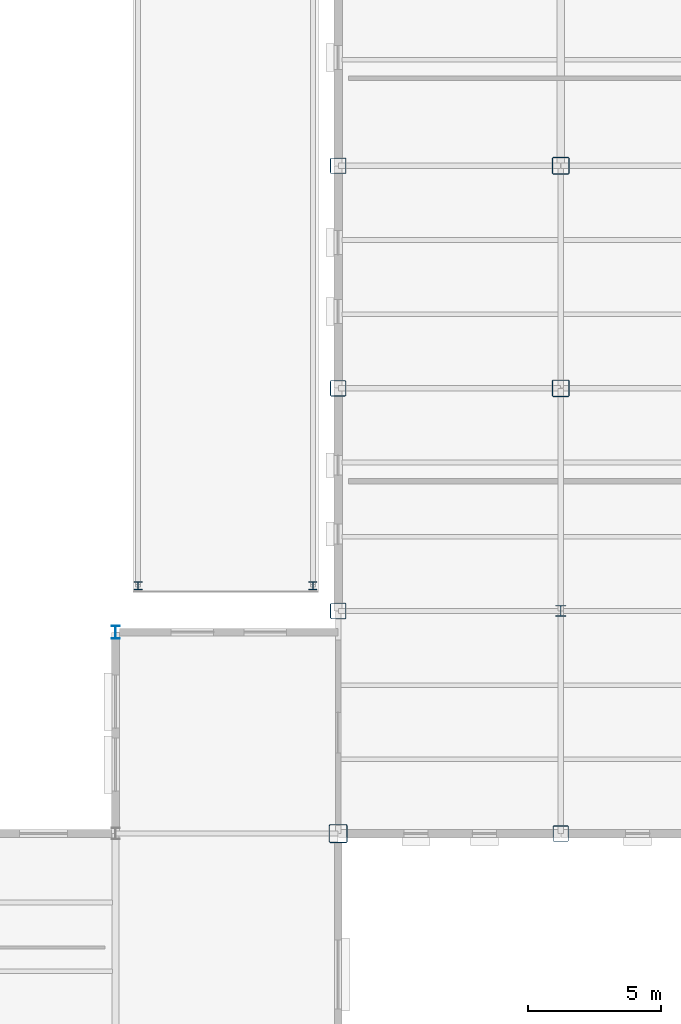
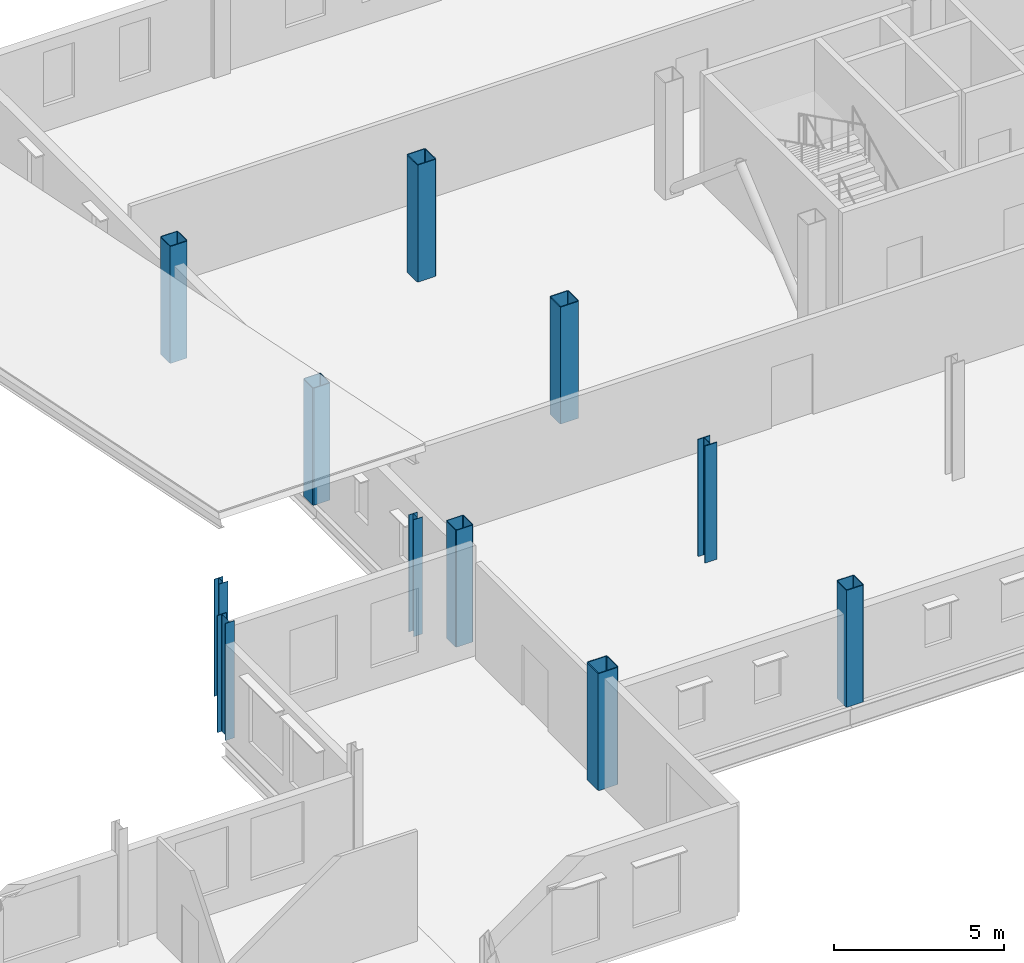
# One storey, part 12 of 75: 11 columns.
"""IFC4 building model written with IfcOpenShell, lengths in metres."""

from ifc_helpers import new_model, si_unit, direction, frame, origin, origin_2d, place, context, subcontext, project, spatial, hollow_rectangle, i_section, extrude, material, material_profile, profile_set, type_object, element, save


model = new_model("IFC4")

# Units and contexts
model_context = context("Model", 3, precision=1e-05, world=origin(), true_north=direction((0.0, 1.0)))
body_context = subcontext(model_context, "Body", "Model", "MODEL_VIEW")
ifc_project = project(units=[si_unit("LENGTHUNIT", "METRE"), si_unit("AREAUNIT", "SQUARE_METRE"), si_unit("VOLUMEUNIT", "CUBIC_METRE"), si_unit("PLANEANGLEUNIT", "RADIAN"), si_unit("MASSUNIT", "GRAM", prefix="KILO")], contexts=[model_context])

# Site, building, storey
site_placement = place(None, origin())
site = spatial("IfcSite", under=ifc_project, at=site_placement, CompositionType="ELEMENT")
building_placement = place(site_placement, origin())
building = spatial("IfcBuilding", under=site, at=building_placement, Name="Yukiwa Park Conservatory and Herbarium", CompositionType="ELEMENT")
storey_placement = place(building_placement, frame((0.0, 0.0, 4.800048828125)))
storey = spatial("IfcBuildingStorey", under=building, at=storey_placement, Name="L01", CompositionType="ELEMENT", Elevation=4.800048828125)

# Columns
ifc_material_1 = material(Name="Steel Q355D", Category="steel")
ifc_material_profile_1 = material_profile(ifc_material_1, hollow_rectangle(XDim=0.60009765625, YDim=0.60009765625, WallThickness=0.02490234375, InnerFilletRadius=0.02490234375, OuterFilletRadius=0.050048828125, at=origin_2d()), Name="BOX 600x600x25")
ifc_profile_set_1 = profile_set([ifc_material_profile_1], Name="Steel Q355D")
column_type_1 = type_object("IfcColumnType", Name="COL-TW-BOX600", PredefinedType="COLUMN", material=ifc_profile_set_1)
column_1_placement = place(storey_placement, frame((116.39990234375, 86.39990234375, 0.0), z_axis=(0.0, 0.0, 1.0), x_axis=(1.0, 0.0, 0.0)))
element("IfcColumn", 1, at=column_1_placement, inside=storey, type_object=column_type_1, Name="L01 column V5-X1164-Y864", PredefinedType="COLUMN", context=body_context, shape_type="SweptSolid", body=[
    extrude(hollow_rectangle(XDim=0.60009765625, YDim=0.60009765625, WallThickness=0.02490234375, InnerFilletRadius=0.02490234375, OuterFilletRadius=0.050048828125, at=origin_2d()), origin(), (0.0, 0.0, 1.0), 4.199951171875),
])
ifc_material_2 = material(Name="Steel Q355D", Category="steel")
ifc_material_profile_2 = material_profile(ifc_material_2, hollow_rectangle(XDim=0.60009765625, YDim=0.60009765625, WallThickness=0.02490234375, InnerFilletRadius=0.02490234375, OuterFilletRadius=0.050048828125, at=origin_2d()), Name="BOX 600x600x25")
ifc_profile_set_2 = profile_set([ifc_material_profile_2], Name="Steel Q355D")
column_type_2 = type_object("IfcColumnType", Name="COL-TW-BOX600-EXT", PredefinedType="COLUMN", material=ifc_profile_set_2)
for number, where, z_axis, x_axis, name in (
    (2, (116.39990234375, 94.800048828125, 0.0), (0.0, 0.0, 1.0), (1.0, 0.0, 0.0), "L01 column V5-X1164-Y948"),
    (3, (116.39990234375, 103.199951171875, 0.0), (0.0, 0.0, 1.0), (1.0, 0.0, 0.0), "L01 column V5-X1164-Y1032"),
    (4, (124.800048828125, 78.0, 0.0), (0.0, 0.0, 1.0), (1.0, 0.0, 0.0), "L01 column V5-X1248-Y780"),
):
    element("IfcColumn", number, at=place(storey_placement, frame(where, z_axis=z_axis, x_axis=x_axis)), inside=storey, type_object=column_type_2, Name=name, PredefinedType="COLUMN", context=body_context, shape_type="SweptSolid", body=[
        extrude(hollow_rectangle(XDim=0.60009765625, YDim=0.60009765625, WallThickness=0.02490234375, InnerFilletRadius=0.02490234375, OuterFilletRadius=0.050048828125, at=origin_2d()), origin(), (0.0, 0.0, 1.0), 4.199951171875),
    ])
ifc_material_3 = material(Name="Steel Q355D", Category="steel")
ifc_material_profile_3 = material_profile(ifc_material_3, hollow_rectangle(XDim=0.64990234375, YDim=0.64990234375, WallThickness=0.028076171875, InnerFilletRadius=0.028076171875, OuterFilletRadius=0.055908203125, at=origin_2d()), Name="BOX 650x650x28")
ifc_profile_set_3 = profile_set([ifc_material_profile_3], Name="Steel Q355D")
column_type_3 = type_object("IfcColumnType", Name="COL-TW-BOX650", PredefinedType="COLUMN", material=ifc_profile_set_3)
for number, where, z_axis, x_axis, name in (
    (5, (124.800048828125, 94.800048828125, 0.0), (0.0, 0.0, 1.0), (1.0, 0.0, 0.0), "L01 column V5-X1248-Y948"),
    (6, (124.800048828125, 103.199951171875, 0.0), (0.0, 0.0, 1.0), (1.0, 0.0, 0.0), "L01 column V5-X1248-Y1032"),
):
    element("IfcColumn", number, at=place(storey_placement, frame(where, z_axis=z_axis, x_axis=x_axis)), inside=storey, type_object=column_type_3, Name=name, PredefinedType="COLUMN", context=body_context, shape_type="SweptSolid", body=[
        extrude(hollow_rectangle(XDim=0.64990234375, YDim=0.64990234375, WallThickness=0.028076171875, InnerFilletRadius=0.028076171875, OuterFilletRadius=0.055908203125, at=origin_2d()), origin(), (0.0, 0.0, 1.0), 4.199951171875),
    ])
ifc_material_4 = material(Name="Steel Q355D", Category="steel")
ifc_material_profile_4 = material_profile(ifc_material_4, hollow_rectangle(XDim=0.699951171875, YDim=0.699951171875, WallThickness=0.031982421875, InnerFilletRadius=0.031982421875, OuterFilletRadius=0.06396484375, at=origin_2d()), Name="BOX 700x700x32")
ifc_profile_set_4 = profile_set([ifc_material_profile_4], Name="Steel Q355D")
column_type_4 = type_object("IfcColumnType", Name="COL-TW-BOX700", PredefinedType="COLUMN", material=ifc_profile_set_4)
column_2_placement = place(storey_placement, frame((116.39990234375, 78.0, 0.0), z_axis=(0.0, 0.0, 1.0), x_axis=(1.0, 0.0, 0.0)))
element("IfcColumn", 7, at=column_2_placement, inside=storey, type_object=column_type_4, Name="L01 column V5-X1164-Y780", PredefinedType="COLUMN", context=body_context, shape_type="SweptSolid", body=[
    extrude(hollow_rectangle(XDim=0.699951171875, YDim=0.699951171875, WallThickness=0.031982421875, InnerFilletRadius=0.031982421875, OuterFilletRadius=0.06396484375, at=origin_2d()), origin(), (0.0, 0.0, 1.0), 4.199951171875),
])
ifc_material_5 = material(Name="Steel Q355D", Category="steel")
ifc_material_profile_5 = material_profile(ifc_material_5, i_section(OverallWidth=0.300048828125, OverallDepth=0.300048828125, WebThickness=0.010009765625, FlangeThickness=0.014892578125, FilletRadius=0.01806640625, at=origin_2d()), Name="HW 300x300x10x15")
ifc_profile_set_5 = profile_set([ifc_material_profile_5], Name="Steel Q355D")
column_type_5 = type_object("IfcColumnType", Name="COL-TW-HW300-EXT", PredefinedType="COLUMN", material=ifc_profile_set_5)
for number, where, z_axis, x_axis, name in (
    (8, (108.85009765625, 87.35009765625, 0.0), (0.0, 0.0, 1.0), (1.0, 0.0, 0.0), "Service ramp canopy L01 portal post 3"),
    (9, (115.449951171875, 87.35009765625, 0.0), (0.0, 0.0, 1.0), (1.0, 0.0, 0.0), "Service ramp canopy L01 portal post 4"),
):
    element("IfcColumn", number, at=place(storey_placement, frame(where, z_axis=z_axis, x_axis=x_axis)), inside=storey, type_object=column_type_5, Name=name, PredefinedType="COLUMN", context=body_context, shape_type="SweptSolid", body=[
        extrude(i_section(OverallWidth=0.300048828125, OverallDepth=0.300048828125, WebThickness=0.010009765625, FlangeThickness=0.014892578125, FilletRadius=0.01806640625, at=origin_2d()), origin(), (0.0, 0.0, 1.0), 4.199951171875),
    ])
ifc_material_6 = material(Name="Steel Q355D", Category="steel")
ifc_material_profile_6 = material_profile(ifc_material_6, i_section(OverallWidth=0.406982421875, OverallDepth=0.427978515625, WebThickness=0.02001953125, FlangeThickness=0.034912109375, FilletRadius=0.02197265625, at=origin_2d()), Name="HW 428x407x20x35")
ifc_profile_set_6 = profile_set([ifc_material_profile_6], Name="Steel Q355D")
column_type_6 = type_object("IfcColumnType", Name="COL-TW-HW428", PredefinedType="COLUMN", material=ifc_profile_set_6)
column_3_placement = place(storey_placement, frame((124.800048828125, 86.39990234375, 0.0), z_axis=(0.0, 0.0, 1.0), x_axis=(1.0, 0.0, 0.0)))
element("IfcColumn", 10, at=column_3_placement, inside=storey, type_object=column_type_6, Name="L01 column V5-X1248-Y864", PredefinedType="COLUMN", context=body_context, shape_type="SweptSolid", body=[
    extrude(i_section(OverallWidth=0.406982421875, OverallDepth=0.427978515625, WebThickness=0.02001953125, FlangeThickness=0.034912109375, FilletRadius=0.02197265625, at=origin_2d()), origin(), (0.0, 0.0, 1.0), 4.199951171875),
])
ifc_material_7 = material(Name="Steel Q355D", Category="steel")
ifc_material_profile_7 = material_profile(ifc_material_7, i_section(OverallWidth=0.300048828125, OverallDepth=0.488037109375, WebThickness=0.010986328125, FlangeThickness=0.01806640625, FilletRadius=0.02392578125, at=origin_2d()), Name="HM 488x300x11x18")
ifc_profile_set_7 = profile_set([ifc_material_profile_7], Name="Steel Q355D")
column_type_7 = type_object("IfcColumnType", Name="COL-VS-HM488-EXT", PredefinedType="COLUMN", material=ifc_profile_set_7)
column_4_placement = place(storey_placement, frame((108.0, 85.60009765625, 0.0), z_axis=(0.0, 0.0, 1.0), x_axis=(1.0, 0.0, 0.0)))
element("IfcColumn", 11, at=column_4_placement, inside=storey, type_object=column_type_7, Name="L01 column LNK-X1080-Y856", PredefinedType="COLUMN", context=body_context, shape_type="SweptSolid", body=[
    extrude(i_section(OverallWidth=0.300048828125, OverallDepth=0.488037109375, WebThickness=0.010986328125, FlangeThickness=0.01806640625, FilletRadius=0.02392578125, at=origin_2d()), origin(), (0.0, 0.0, 1.0), 4.199951171875),
])

save(model, "model.ifc")
